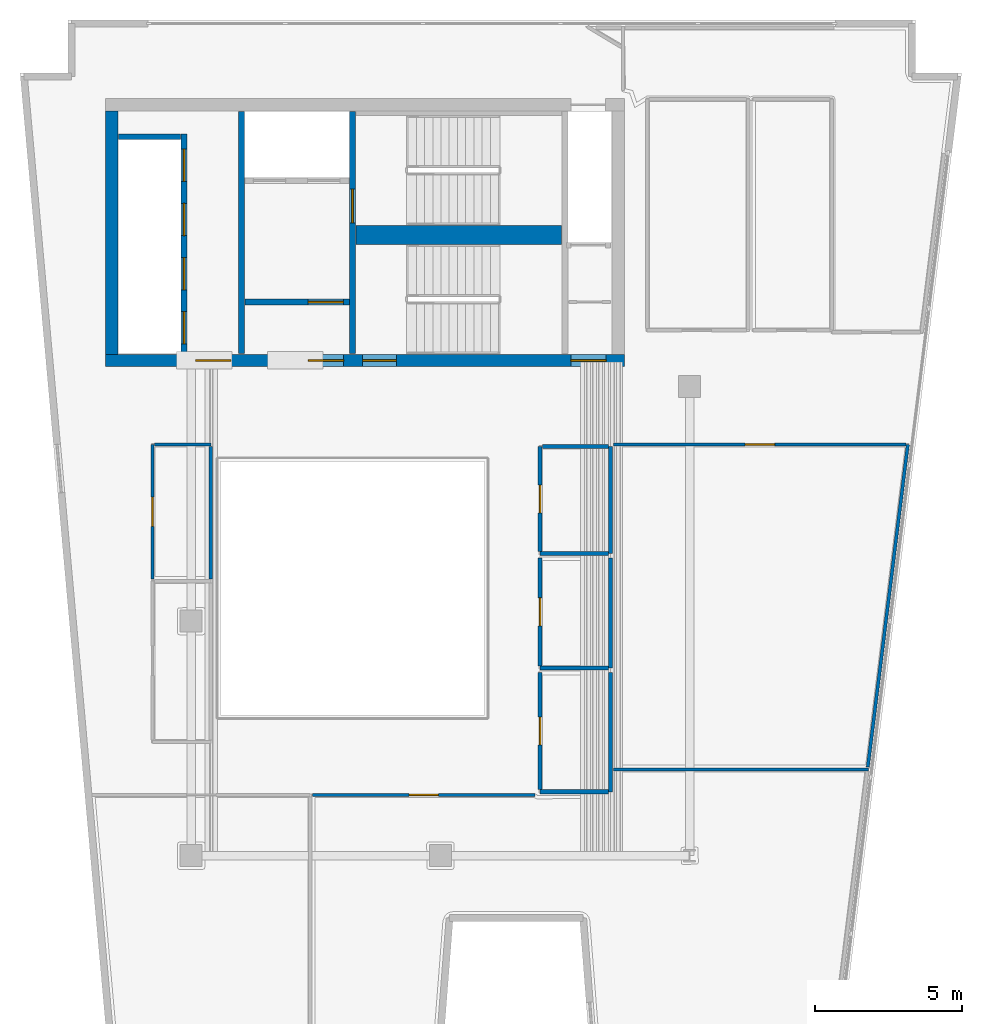
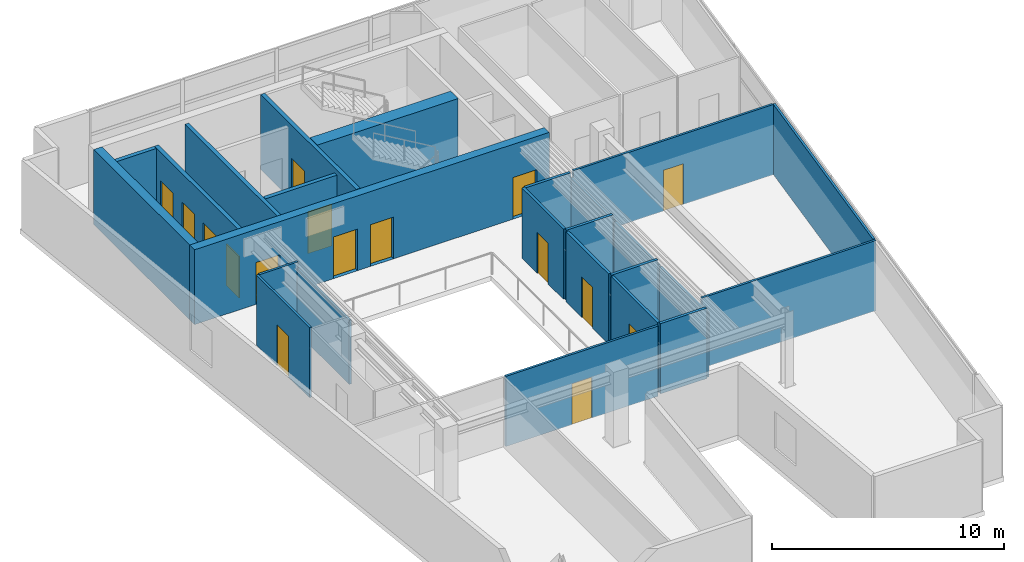
# One storey, part 4 of 8: 25 walls, 16 doors, 16 openings.
"""IFC4 building model written with IfcOpenShell, lengths in metres."""

from ifc_helpers import new_model, si_unit, direction, frame, frame_2d, origin, place, context, subcontext, project, spatial, rectangle, extrude, material, layer, layer_set, type_object, element, fill, save


model = new_model("IFC4")

# Units and contexts
model_context = context("Model", 3, precision=1e-05, world=origin(), true_north=direction((0.0, 1.0)))
body_context = subcontext(model_context, "Body", "Model", "MODEL_VIEW")
ifc_project = project(units=[si_unit("LENGTHUNIT", "METRE"), si_unit("AREAUNIT", "SQUARE_METRE"), si_unit("VOLUMEUNIT", "CUBIC_METRE"), si_unit("PLANEANGLEUNIT", "RADIAN"), si_unit("MASSUNIT", "GRAM", prefix="KILO")], contexts=[model_context])

# Site, building, storey
site_placement = place(None, origin())
site = spatial("IfcSite", under=ifc_project, at=site_placement, CompositionType="ELEMENT")
building_placement = place(site_placement, origin())
building = spatial("IfcBuilding", under=site, at=building_placement, Name="Caeloran Harvest Quay", CompositionType="ELEMENT")
storey_placement = place(building_placement, frame((0.0, 0.0, 260.64990234375)))
storey = spatial("IfcBuildingStorey", under=building, at=storey_placement, Name="L62", CompositionType="ELEMENT", Elevation=260.64990234375)

# Wall
ifc_material_1 = material(Name="Single-Stud Acoustic Gypsum Office Partition", Category="gypsum")
ifc_layer_1 = layer(ifc_material_1, 0.112060546875, Name="Single-Stud Acoustic Gypsum Office Partition")
ifc_layer_set_1 = layer_set([ifc_layer_1], Name="Single-Stud Acoustic Gypsum Office Partition")
wall_type_1 = type_object("IfcWallType", Name="INT-WALL-PW-112", PredefinedType="PARTITIONING", material=ifc_layer_set_1)
wall_1_placement = place(storey_placement, frame((22.909912109375, 17.93994140625, 0.0), z_axis=(0.0, 0.0, 1.0), x_axis=(1.0, 0.0, 0.0)))
element("IfcWall", 1, at=wall_1_placement, inside=storey, type_object=wall_type_1, Name="Philanthropy Impact Office Partition Wall", PredefinedType="PARTITIONING", context=body_context, shape_type="SweptSolid", body=[
    extrude(rectangle(XDim=8.6904296875, YDim=0.112060546875, at=frame_2d((4.34521484375, 0.0))), origin(), (0.0, 0.0, 1.0), 3.7001953125),
])

# Wall, opening, door
wall_2_placement = place(storey_placement, frame((12.639892578125, 17.070068359375, 0.0), z_axis=(0.0, 0.0, 1.0), x_axis=(1.0, 0.0, 0.0)))
wall_2 = element("IfcWall", 2, at=wall_2_placement, inside=storey, type_object=wall_type_1, Name="Philanthropy Impact Office Partition Wall", PredefinedType="PARTITIONING", context=body_context, shape_type="SweptSolid", body=[
    extrude(rectangle(XDim=7.587158203125, YDim=0.112060546875, at=frame_2d((3.79345703125, 0.0))), origin(), (0.0, 0.0, 1.0), 3.7001953125),
])
opening_1_placement = place(wall_2_placement, frame((3.29345703125, 0.0, 0.0)))
opening_1 = element("IfcOpeningElement", 3, at=opening_1_placement, cuts=wall_2, Name="Opening ID-01", PredefinedType="OPENING", context=body_context, shape_type="SweptSolid", body=[
    extrude(rectangle(XDim=1.0, YDim=2.14990234375, at=frame_2d((0.5, 1.074951171875))), frame((0.0, 0.06591796875, 0.0), z_axis=(0.0, -1.0, 0.0), x_axis=(1.0, 0.0, 0.0)), (0.0, 0.0, 1.0), 0.132080078125),
])
ifc_material_2 = material(Name="FSC Solid-Core Ash Timber and Acoustic Seal", Category="wood")
door_type_1 = type_object("IfcDoorType", Name="INTDOOR-ID-01", OperationType="NOTDEFINED", PredefinedType="DOOR", material=ifc_material_2)
door_1_placement = place(opening_1_placement, origin())
door_1 = element("IfcDoor", 4, at=door_1_placement, inside=storey, type_object=door_type_1, Name="Philanthropy Impact Office Access Door", OperationType="SINGLE_SWING_RIGHT", OverallHeight=2.14990234375, OverallWidth=1.0, PredefinedType="DOOR", context=body_context, shape_type="SweptSolid", body=[
    extrude(rectangle(XDim=1.0, YDim=2.14990234375, at=frame_2d((0.5, 1.074951171875))), frame((0.0, 0.02490234375, 0.0), z_axis=(0.0, -1.0, 0.0), x_axis=(1.0, 0.0, 0.0)), (0.0, 0.0, 1.0), 0.050048828125),
])
fill(opening_1, door_1)

# Wall
wall_3_placement = place(storey_placement, frame((32.94091796875, 29.02001953125, 0.0), z_axis=(0.0, 0.0, 1.0), x_axis=(-0.123232290614, -0.99237785271, 0.0)))
element("IfcWall", 5, at=wall_3_placement, inside=storey, type_object=wall_type_1, Name="Investment Committee Boardroom Partition Wall", PredefinedType="PARTITIONING", context=body_context, shape_type="SweptSolid", body=[
    extrude(rectangle(XDim=11.08447265625, YDim=0.112060546875, at=frame_2d((5.542236328125, 0.0))), origin(), (0.0, 0.0, 1.0), 3.7001953125),
])

# Wall, opening, door
wall_4_placement = place(storey_placement, frame((22.909912109375, 29.02001953125, 0.0), z_axis=(0.0, 0.0, 1.0), x_axis=(1.0, 0.0, 0.0)))
wall_4 = element("IfcWall", 6, at=wall_4_placement, inside=storey, type_object=wall_type_1, Name="Investment Committee Boardroom Partition Wall", PredefinedType="PARTITIONING", context=body_context, shape_type="SweptSolid", body=[
    extrude(rectangle(XDim=9.969482421875, YDim=0.112060546875, at=frame_2d((4.98486328125, 0.0))), origin(), (0.0, 0.0, 1.0), 3.7001953125),
])
opening_2_placement = place(wall_4_placement, frame((4.48486328125, 0.0, 0.0)))
opening_2 = element("IfcOpeningElement", 7, at=opening_2_placement, cuts=wall_4, Name="Opening ID-01", PredefinedType="OPENING", context=body_context, shape_type="SweptSolid", body=[
    extrude(rectangle(XDim=1.0, YDim=2.14990234375, at=frame_2d((0.5, 1.074951171875))), frame((0.0, 0.06591796875, 0.0), z_axis=(0.0, -1.0, 0.0), x_axis=(1.0, 0.0, 0.0)), (0.0, 0.0, 1.0), 0.132080078125),
])
door_2_placement = place(opening_2_placement, origin())
door_2 = element("IfcDoor", 8, at=door_2_placement, inside=storey, type_object=door_type_1, Name="Investment Committee Boardroom Access Door", OperationType="SINGLE_SWING_RIGHT", OverallHeight=2.14990234375, OverallWidth=1.0, PredefinedType="DOOR", context=body_context, shape_type="SweptSolid", body=[
    extrude(rectangle(XDim=1.0, YDim=2.14990234375, at=frame_2d((0.5, 1.074951171875))), frame((0.0, 0.02490234375, 0.0), z_axis=(0.0, -1.0, 0.0), x_axis=(1.0, 0.0, 0.0)), (0.0, 0.0, 1.0), 0.050048828125),
])
fill(opening_2, door_2)

wall_5_placement = place(storey_placement, frame((7.179931640625, 24.43994140625, 0.0), z_axis=(0.0, 0.0, 1.0), x_axis=(0.0, 1.0, 0.0)))
wall_5 = element("IfcWall", 9, at=wall_5_placement, inside=storey, type_object=wall_type_1, Name="Harbour Sky Salon Lounge Partition Wall", PredefinedType="PARTITIONING", context=body_context, shape_type="SweptSolid", body=[
    extrude(rectangle(XDim=4.580078125, YDim=0.112060546875, at=frame_2d((2.2900390625, 0.0))), origin(), (0.0, 0.0, 1.0), 3.7001953125),
])
opening_3_placement = place(wall_5_placement, frame((1.7900390625, 0.0, 0.0)))
opening_3 = element("IfcOpeningElement", 10, at=opening_3_placement, cuts=wall_5, Name="Opening ID-01", PredefinedType="OPENING", context=body_context, shape_type="SweptSolid", body=[
    extrude(rectangle(XDim=1.0, YDim=2.14990234375, at=frame_2d((0.5, 1.074951171875))), frame((0.0, 0.06591796875, 0.0), z_axis=(0.0, -1.0, 0.0), x_axis=(1.0, 0.0, 0.0)), (0.0, 0.0, 1.0), 0.132080078125),
])
door_3_placement = place(opening_3_placement, origin())
door_3 = element("IfcDoor", 11, at=door_3_placement, inside=storey, type_object=door_type_1, Name="Harbour Sky Salon Lounge Access Door", OperationType="SINGLE_SWING_LEFT", OverallHeight=2.14990234375, OverallWidth=1.0, PredefinedType="DOOR", context=body_context, shape_type="SweptSolid", body=[
    extrude(rectangle(XDim=1.0, YDim=2.14990234375, at=frame_2d((0.5, 1.074951171875))), frame((0.0, 0.02490234375, 0.0), z_axis=(0.0, -1.0, 0.0), x_axis=(1.0, 0.0, 0.0)), (0.0, 0.0, 1.0), 0.050048828125),
])
fill(opening_3, door_3)

# Walls
wall_6_placement = place(storey_placement, frame((7.240966796875, 29.02001953125, 0.0), z_axis=(0.0, 0.0, 1.0), x_axis=(1.0, 0.0, 0.0)))
element("IfcWall", 12, at=wall_6_placement, inside=storey, type_object=wall_type_1, Name="Harbour Sky Salon Lounge Partition Wall", PredefinedType="PARTITIONING", context=body_context, shape_type="SweptSolid", body=[
    extrude(rectangle(XDim=1.928955078125, YDim=0.112060546875, at=frame_2d((0.96435546875, 0.0))), origin(), (0.0, 0.0, 1.0), 3.7001953125),
])
wall_7_placement = place(storey_placement, frame((9.169921875, 28.958984375, 0.0), z_axis=(0.0, 0.0, 1.0), x_axis=(0.0, -1.0, 0.0)))
element("IfcWall", 13, at=wall_7_placement, inside=storey, type_object=wall_type_1, Name="Harbour Sky Salon Lounge Partition Wall", PredefinedType="PARTITIONING", context=body_context, shape_type="SweptSolid", body=[
    extrude(rectangle(XDim=4.51904296875, YDim=0.112060546875, at=frame_2d((2.259521484375, 0.0))), origin(), (0.0, 0.0, 1.0), 3.385009765625),
])
ifc_material_3 = material(Name="Moisture-Resistant Cement-Board Sanitary Partition", Category="gypsum")
ifc_layer_2 = layer(ifc_material_3, 0.139892578125, Name="Moisture-Resistant Cement-Board Sanitary Partition")
ifc_layer_set_2 = layer_set([ifc_layer_2], Name="Moisture-Resistant Cement-Board Sanitary Partition")
wall_type_2 = type_object("IfcWallType", Name="INT-WALL-PW-140", PredefinedType="PARTITIONING", material=ifc_layer_set_2)
wall_8_placement = place(storey_placement, frame((22.800048828125, 28.949951171875, 0.0), z_axis=(0.0, 0.0, 1.0), x_axis=(0.0, -1.0, 0.0)))
element("IfcWall", 14, at=wall_8_placement, inside=storey, type_object=wall_type_2, Name="L62 Male Washroom WC Partition Wall", PredefinedType="PARTITIONING", context=body_context, shape_type="SweptSolid", body=[
    extrude(rectangle(XDim=3.64990234375, YDim=0.139892578125, at=frame_2d((1.824951171875, 0.0))), origin(), (0.0, 0.0, 1.0), 3.385009765625),
])
wall_9_placement = place(storey_placement, frame((22.72509765625, 25.300048828125, 0.0), z_axis=(0.0, 0.0, 1.0), x_axis=(-1.0, 0.0, 0.0)))
element("IfcWall", 15, at=wall_9_placement, inside=storey, type_object=wall_type_2, Name="L62 Male Washroom WC Partition Wall", PredefinedType="PARTITIONING", context=body_context, shape_type="SweptSolid", body=[
    extrude(rectangle(XDim=2.3251953125, YDim=0.139892578125, at=frame_2d((1.16259765625, 0.0))), origin(), (0.0, 0.0, 1.0), 3.7001953125),
])

# Wall, opening, door
wall_10_placement = place(storey_placement, frame((20.39990234375, 25.375, 0.0), z_axis=(0.0, 0.0, 1.0), x_axis=(0.0, 1.0, 0.0)))
wall_10 = element("IfcWall", 16, at=wall_10_placement, inside=storey, type_object=wall_type_2, Name="L62 Male Washroom WC Partition Wall", PredefinedType="PARTITIONING", context=body_context, shape_type="SweptSolid", body=[
    extrude(rectangle(XDim=3.574951171875, YDim=0.139892578125, at=frame_2d((1.78759765625, 0.0))), origin(), (0.0, 0.0, 1.0), 3.7001953125),
])
opening_4_placement = place(wall_10_placement, frame((1.3125, 0.0, 0.0)))
opening_4 = element("IfcOpeningElement", 17, at=opening_4_placement, cuts=wall_10, Name="Opening WC-01", PredefinedType="OPENING", context=body_context, shape_type="SweptSolid", body=[
    extrude(rectangle(XDim=0.949951171875, YDim=2.14990234375, at=frame_2d((0.47509765625, 1.074951171875))), frame((0.0, 0.080078125, 0.0), z_axis=(0.0, -1.0, 0.0), x_axis=(1.0, 0.0, 0.0)), (0.0, 0.0, 1.0), 0.159912109375),
])
ifc_material_4 = material(Name="High-Pressure Laminate Moisture-Resistant Timber", Category="wood")
door_type_2 = type_object("IfcDoorType", Name="INTDOOR-WC-01", OperationType="NOTDEFINED", PredefinedType="DOOR", material=ifc_material_4)
door_4_placement = place(opening_4_placement, origin())
door_4 = element("IfcDoor", 18, at=door_4_placement, inside=storey, type_object=door_type_2, Name="L62 Male Washroom WC Access Door", OperationType="SINGLE_SWING_RIGHT", OverallHeight=2.14990234375, OverallWidth=0.949951171875, PredefinedType="DOOR", context=body_context, shape_type="SweptSolid", body=[
    extrude(rectangle(XDim=0.949951171875, YDim=2.14990234375, at=frame_2d((0.47509765625, 1.074951171875))), frame((0.0, 0.02490234375, 0.0), z_axis=(0.0, -1.0, 0.0), x_axis=(1.0, 0.0, 0.0)), (0.0, 0.0, 1.0), 0.050048828125),
])
fill(opening_4, door_4)

# Walls
wall_11_placement = place(storey_placement, frame((20.47509765625, 28.949951171875, 0.0), z_axis=(0.0, 0.0, 1.0), x_axis=(1.0, 0.0, 0.0)))
element("IfcWall", 19, at=wall_11_placement, inside=storey, type_object=wall_type_2, Name="L62 Male Washroom WC Partition Wall", PredefinedType="PARTITIONING", context=body_context, shape_type="SweptSolid", body=[
    extrude(rectangle(XDim=2.25, YDim=0.139892578125, at=frame_2d((1.125, 0.0))), origin(), (0.0, 0.0, 1.0), 3.7001953125),
])
wall_12_placement = place(storey_placement, frame((22.800048828125, 25.14990234375, 0.0), z_axis=(0.0, 0.0, 1.0), x_axis=(0.0, -1.0, 0.0)))
element("IfcWall", 20, at=wall_12_placement, inside=storey, type_object=wall_type_2, Name="L62 Female Washroom WC Partition Wall", PredefinedType="PARTITIONING", context=body_context, shape_type="SweptSolid", body=[
    extrude(rectangle(XDim=3.75, YDim=0.139892578125, at=frame_2d((1.875, 0.0))), origin(), (0.0, 0.0, 1.0), 3.385009765625),
])
wall_13_placement = place(storey_placement, frame((22.72509765625, 21.39990234375, 0.0), z_axis=(0.0, 0.0, 1.0), x_axis=(-1.0, 0.0, 0.0)))
element("IfcWall", 21, at=wall_13_placement, inside=storey, type_object=wall_type_2, Name="L62 Female Washroom WC Partition Wall", PredefinedType="PARTITIONING", context=body_context, shape_type="SweptSolid", body=[
    extrude(rectangle(XDim=2.3251953125, YDim=0.139892578125, at=frame_2d((1.16259765625, 0.0))), origin(), (0.0, 0.0, 1.0), 3.7001953125),
])

# Wall, opening, door
wall_14_placement = place(storey_placement, frame((20.39990234375, 21.47509765625, 0.0), z_axis=(0.0, 0.0, 1.0), x_axis=(0.0, 1.0, 0.0)))
wall_14 = element("IfcWall", 22, at=wall_14_placement, inside=storey, type_object=wall_type_2, Name="L62 Female Washroom WC Partition Wall", PredefinedType="PARTITIONING", context=body_context, shape_type="SweptSolid", body=[
    extrude(rectangle(XDim=3.6748046875, YDim=0.139892578125, at=frame_2d((1.83740234375, 0.0))), origin(), (0.0, 0.0, 1.0), 3.7001953125),
])
opening_5_placement = place(wall_14_placement, frame((1.362548828125, 0.0, 0.0)))
opening_5 = element("IfcOpeningElement", 23, at=opening_5_placement, cuts=wall_14, Name="Opening WC-01", PredefinedType="OPENING", context=body_context, shape_type="SweptSolid", body=[
    extrude(rectangle(XDim=0.949951171875, YDim=2.14990234375, at=frame_2d((0.47509765625, 1.074951171875))), frame((0.0, 0.080078125, 0.0), z_axis=(0.0, -1.0, 0.0), x_axis=(1.0, 0.0, 0.0)), (0.0, 0.0, 1.0), 0.159912109375),
])
door_5_placement = place(opening_5_placement, origin())
door_5 = element("IfcDoor", 24, at=door_5_placement, inside=storey, type_object=door_type_2, Name="L62 Female Washroom WC Access Door", OperationType="SINGLE_SWING_LEFT", OverallHeight=2.14990234375, OverallWidth=0.949951171875, PredefinedType="DOOR", context=body_context, shape_type="SweptSolid", body=[
    extrude(rectangle(XDim=0.949951171875, YDim=2.14990234375, at=frame_2d((0.47509765625, 1.074951171875))), frame((0.0, 0.02490234375, 0.0), z_axis=(0.0, -1.0, 0.0), x_axis=(1.0, 0.0, 0.0)), (0.0, 0.0, 1.0), 0.050048828125),
])
fill(opening_5, door_5)

# Walls
wall_15_placement = place(storey_placement, frame((22.800048828125, 21.25, 0.0), z_axis=(0.0, 0.0, 1.0), x_axis=(0.0, -1.0, 0.0)))
element("IfcWall", 25, at=wall_15_placement, inside=storey, type_object=wall_type_2, Name="L62 Accessible Unisex Washroom WC Partition Wall", PredefinedType="PARTITIONING", context=body_context, shape_type="SweptSolid", body=[
    extrude(rectangle(XDim=4.070068359375, YDim=0.139892578125, at=frame_2d((2.03515625, 0.0))), origin(), (0.0, 0.0, 1.0), 3.385009765625),
])
wall_16_placement = place(storey_placement, frame((22.72509765625, 17.179931640625, 0.0), z_axis=(0.0, 0.0, 1.0), x_axis=(-1.0, 0.0, 0.0)))
element("IfcWall", 26, at=wall_16_placement, inside=storey, type_object=wall_type_2, Name="L62 Accessible Unisex Washroom WC Partition Wall", PredefinedType="PARTITIONING", context=body_context, shape_type="SweptSolid", body=[
    extrude(rectangle(XDim=2.3251953125, YDim=0.139892578125, at=frame_2d((1.16259765625, 0.0))), origin(), (0.0, 0.0, 1.0), 3.7001953125),
])

# Wall, opening, door
wall_17_placement = place(storey_placement, frame((20.39990234375, 17.2548828125, 0.0), z_axis=(0.0, 0.0, 1.0), x_axis=(0.0, 1.0, 0.0)))
wall_17 = element("IfcWall", 27, at=wall_17_placement, inside=storey, type_object=wall_type_2, Name="L62 Accessible Unisex Washroom WC Partition Wall", PredefinedType="PARTITIONING", context=body_context, shape_type="SweptSolid", body=[
    extrude(rectangle(XDim=3.9951171875, YDim=0.139892578125, at=frame_2d((1.99755859375, 0.0))), origin(), (0.0, 0.0, 1.0), 3.7001953125),
])
opening_6_placement = place(wall_17_placement, frame((1.5224609375, 0.0, 0.0)))
opening_6 = element("IfcOpeningElement", 28, at=opening_6_placement, cuts=wall_17, Name="Opening WC-01", PredefinedType="OPENING", context=body_context, shape_type="SweptSolid", body=[
    extrude(rectangle(XDim=0.949951171875, YDim=2.14990234375, at=frame_2d((0.47509765625, 1.074951171875))), frame((0.0, 0.080078125, 0.0), z_axis=(0.0, -1.0, 0.0), x_axis=(1.0, 0.0, 0.0)), (0.0, 0.0, 1.0), 0.159912109375),
])
door_6_placement = place(opening_6_placement, origin())
door_6 = element("IfcDoor", 29, at=door_6_placement, inside=storey, type_object=door_type_2, Name="L62 Accessible Unisex Washroom WC Access Door", OperationType="SINGLE_SWING_RIGHT", OverallHeight=2.14990234375, OverallWidth=0.949951171875, PredefinedType="DOOR", context=body_context, shape_type="SweptSolid", body=[
    extrude(rectangle(XDim=0.949951171875, YDim=2.14990234375, at=frame_2d((0.47509765625, 1.074951171875))), frame((0.0, 0.02490234375, 0.0), z_axis=(0.0, -1.0, 0.0), x_axis=(1.0, 0.0, 0.0)), (0.0, 0.0, 1.0), 0.050048828125),
])
fill(opening_6, door_6)

# Wall, openings, doors
ifc_material_5 = material(Name="Concrete C50/60", Category="concrete")
ifc_layer_3 = layer(ifc_material_5, 0.199951171875, Name="Concrete C50/60")
ifc_layer_set_3 = layer_set([ifc_layer_3], Name="Concrete C50/60")
wall_type_3 = type_object("IfcWallType", Name="INT-WALL-SW-200", PredefinedType="PARTITIONING", material=ifc_layer_set_3)
wall_18_placement = place(storey_placement, frame((8.260009765625, 32.1201171875, 0.0), z_axis=(0.0, 0.0, 1.0), x_axis=(0.0, 1.0, 0.0)))
wall_18 = element("IfcWall", 30, at=wall_18_placement, inside=storey, type_object=wall_type_3, Name="L62 Bank 3 Lift Shaft Wall", PredefinedType="PARTITIONING", context=body_context, shape_type="SweptSolid", body=[
    extrude(rectangle(XDim=7.5, YDim=0.199951171875, at=frame_2d((3.75, 0.0))), origin(), (0.0, 0.0, 1.0), 3.7001953125),
])
opening_7_placement = place(wall_18_placement, frame((0.330078125, 0.0, 0.0)))
opening_7 = element("IfcOpeningElement", 31, at=opening_7_placement, cuts=wall_18, Name="Opening LD-01", PredefinedType="OPENING", context=body_context, shape_type="SweptSolid", body=[
    extrude(rectangle(XDim=1.10009765625, YDim=2.199951171875, at=frame_2d((0.550048828125, 1.10009765625))), frame((0.0, 0.10986328125, 0.0), z_axis=(0.0, -1.0, 0.0), x_axis=(1.0, 0.0, 0.0)), (0.0, 0.0, 1.0), 0.219970703125),
])
opening_8_placement = place(wall_18_placement, frame((2.179931640625, 0.0, 0.0)))
opening_8 = element("IfcOpeningElement", 32, at=opening_8_placement, cuts=wall_18, Name="Opening LD-01", PredefinedType="OPENING", context=body_context, shape_type="SweptSolid", body=[
    extrude(rectangle(XDim=1.10009765625, YDim=2.199951171875, at=frame_2d((0.550048828125, 1.10009765625))), frame((0.0, 0.10986328125, 0.0), z_axis=(0.0, -1.0, 0.0), x_axis=(1.0, 0.0, 0.0)), (0.0, 0.0, 1.0), 0.219970703125),
])
opening_9_placement = place(wall_18_placement, frame((4.030029296875, 0.0, 0.0)))
opening_9 = element("IfcOpeningElement", 33, at=opening_9_placement, cuts=wall_18, Name="Opening LD-01", PredefinedType="OPENING", context=body_context, shape_type="SweptSolid", body=[
    extrude(rectangle(XDim=1.10009765625, YDim=2.199951171875, at=frame_2d((0.550048828125, 1.10009765625))), frame((0.0, 0.10986328125, 0.0), z_axis=(0.0, -1.0, 0.0), x_axis=(1.0, 0.0, 0.0)), (0.0, 0.0, 1.0), 0.219970703125),
])
opening_10_placement = place(wall_18_placement, frame((5.8798828125, 0.0, 0.0)))
opening_10 = element("IfcOpeningElement", 34, at=opening_10_placement, cuts=wall_18, Name="Opening LD-01", PredefinedType="OPENING", context=body_context, shape_type="SweptSolid", body=[
    extrude(rectangle(XDim=1.10009765625, YDim=2.199951171875, at=frame_2d((0.550048828125, 1.10009765625))), frame((0.0, 0.10986328125, 0.0), z_axis=(0.0, -1.0, 0.0), x_axis=(1.0, 0.0, 0.0)), (0.0, 0.0, 1.0), 0.219970703125),
])
ifc_material_6 = material(Name="Stainless Steel Grade 316", Category="steel")
door_type_3 = type_object("IfcDoorType", Name="INTDOOR-LD-01", OperationType="NOTDEFINED", PredefinedType="DOOR", material=ifc_material_6)
door_7_placement = place(opening_7_placement, origin())
door_7 = element("IfcDoor", 35, at=door_7_placement, inside=storey, type_object=door_type_3, Name="Lift P3-1 Sliding Landing Door (L62)", OperationType="DOUBLE_DOOR_SLIDING", OverallHeight=2.199951171875, OverallWidth=1.10009765625, PredefinedType="DOOR", context=body_context, shape_type="SweptSolid", body=[
    extrude(rectangle(XDim=1.10009765625, YDim=2.199951171875, at=frame_2d((0.550048828125, 1.10009765625))), frame((0.0, 0.02490234375, 0.0), z_axis=(0.0, -1.0, 0.0), x_axis=(1.0, 0.0, 0.0)), (0.0, 0.0, 1.0), 0.050048828125),
])
fill(opening_7, door_7)
door_8_placement = place(opening_8_placement, origin())
door_8 = element("IfcDoor", 36, at=door_8_placement, inside=storey, type_object=door_type_3, Name="Lift P3-2 Sliding Landing Door (L62)", OperationType="DOUBLE_DOOR_SLIDING", OverallHeight=2.199951171875, OverallWidth=1.10009765625, PredefinedType="DOOR", context=body_context, shape_type="SweptSolid", body=[
    extrude(rectangle(XDim=1.10009765625, YDim=2.199951171875, at=frame_2d((0.550048828125, 1.10009765625))), frame((0.0, 0.02490234375, 0.0), z_axis=(0.0, -1.0, 0.0), x_axis=(1.0, 0.0, 0.0)), (0.0, 0.0, 1.0), 0.050048828125),
])
fill(opening_8, door_8)
door_9_placement = place(opening_9_placement, origin())
door_9 = element("IfcDoor", 37, at=door_9_placement, inside=storey, type_object=door_type_3, Name="Lift P3-3 Sliding Landing Door (L62)", OperationType="DOUBLE_DOOR_SLIDING", OverallHeight=2.199951171875, OverallWidth=1.10009765625, PredefinedType="DOOR", context=body_context, shape_type="SweptSolid", body=[
    extrude(rectangle(XDim=1.10009765625, YDim=2.199951171875, at=frame_2d((0.550048828125, 1.10009765625))), frame((0.0, 0.02490234375, 0.0), z_axis=(0.0, -1.0, 0.0), x_axis=(1.0, 0.0, 0.0)), (0.0, 0.0, 1.0), 0.050048828125),
])
fill(opening_9, door_9)
door_10_placement = place(opening_10_placement, origin())
door_10 = element("IfcDoor", 38, at=door_10_placement, inside=storey, type_object=door_type_3, Name="Lift P3-4 Sliding Landing Door (L62)", OperationType="DOUBLE_DOOR_SLIDING", OverallHeight=2.199951171875, OverallWidth=1.10009765625, PredefinedType="DOOR", context=body_context, shape_type="SweptSolid", body=[
    extrude(rectangle(XDim=1.10009765625, YDim=2.199951171875, at=frame_2d((0.550048828125, 1.10009765625))), frame((0.0, 0.02490234375, 0.0), z_axis=(0.0, -1.0, 0.0), x_axis=(1.0, 0.0, 0.0)), (0.0, 0.0, 1.0), 0.050048828125),
])
fill(opening_10, door_10)

# Walls
wall_19_placement = place(storey_placement, frame((6.02001953125, 39.52001953125, 0.0), z_axis=(0.0, 0.0, 1.0), x_axis=(1.0, 0.0, 0.0)))
element("IfcWall", 39, at=wall_19_placement, inside=storey, type_object=wall_type_3, Name="L62 Bank 3 Lift Shaft North End Wall", PredefinedType="PARTITIONING", context=body_context, shape_type="SweptSolid", body=[
    extrude(rectangle(XDim=2.119873046875, YDim=0.199951171875, at=frame_2d((1.06005859375, 0.0))), origin(), (0.0, 0.0, 1.0), 3.7001953125),
])
wall_20_placement = place(storey_placement, frame((10.219970703125, 32.1201171875, 0.0), z_axis=(0.0, 0.0, 1.0), x_axis=(0.0, 1.0, 0.0)))
element("IfcWall", 40, at=wall_20_placement, inside=storey, type_object=wall_type_3, Name="L62 Core Lobby Compartment Wall", PredefinedType="PARTITIONING", context=body_context, shape_type="SweptSolid", body=[
    extrude(rectangle(XDim=8.259765625, YDim=0.199951171875, at=frame_2d((4.1298828125, 0.0))), origin(), (0.0, 0.0, 1.0), 3.7001953125),
])

# Wall, opening, door
wall_21_placement = place(storey_placement, frame((10.340087890625, 33.8798828125, 0.0), z_axis=(0.0, 0.0, 1.0), x_axis=(1.0, 0.0, 0.0)))
wall_21 = element("IfcWall", 41, at=wall_21_placement, inside=storey, type_object=wall_type_3, Name="L62 Firefighting Lift Lobby Enclosure Wall", PredefinedType="PARTITIONING", context=body_context, shape_type="SweptSolid", body=[
    extrude(rectangle(XDim=3.559814453125, YDim=0.199951171875, at=frame_2d((1.77978515625, 0.0))), origin(), (0.0, 0.0, 1.0), 3.7001953125),
])
opening_11_placement = place(wall_21_placement, frame((2.14990234375, 0.0, 0.0)))
opening_11 = element("IfcOpeningElement", 42, at=opening_11_placement, cuts=wall_21, Name="Opening FD-01", PredefinedType="OPENING", context=body_context, shape_type="SweptSolid", body=[
    extrude(rectangle(XDim=1.199951171875, YDim=2.199951171875, at=frame_2d((0.60009765625, 1.10009765625))), frame((0.0, 0.10986328125, 0.0), z_axis=(0.0, -1.0, 0.0), x_axis=(1.0, 0.0, 0.0)), (0.0, 0.0, 1.0), 0.219970703125),
])
ifc_material_7 = material(Name="Steel", Category="steel")
door_type_4 = type_object("IfcDoorType", Name="INTDOOR-FD-01", OperationType="NOTDEFINED", PredefinedType="DOOR", material=ifc_material_7)
door_11_placement = place(opening_11_placement, origin())
door_11 = element("IfcDoor", 43, at=door_11_placement, inside=storey, type_object=door_type_4, Name="L62 Firefighting Lift Lobby Smoke-Seal Fire Door", OperationType="SINGLE_SWING_LEFT", OverallHeight=2.199951171875, OverallWidth=1.199951171875, PredefinedType="DOOR", context=body_context, shape_type="SweptSolid", body=[
    extrude(rectangle(XDim=1.199951171875, YDim=2.199951171875, at=frame_2d((0.60009765625, 1.10009765625))), frame((0.0, 0.02490234375, 0.0), z_axis=(0.0, -1.0, 0.0), x_axis=(1.0, 0.0, 0.0)), (0.0, 0.0, 1.0), 0.050048828125),
])
fill(opening_11, door_11)

# Wall, openings, doors
ifc_material_8 = material(Name="Concrete C60/75", Category="concrete")
ifc_layer_4 = layer(ifc_material_8, 0.419921875, Name="Concrete C60/75")
ifc_layer_set_4 = layer_set([ifc_layer_4], Name="Concrete C60/75")
wall_type_4 = type_object("IfcWallType", Name="STR-WALL-CW-420", PredefinedType="SHEAR", material=ifc_layer_set_4)
wall_22_placement = place(storey_placement, frame((5.580078125, 31.889892578125, 0.0), z_axis=(0.0, 0.0, 1.0), x_axis=(1.0, 0.0, 0.0)))
wall_22 = element("IfcWall", 44, at=wall_22_placement, inside=storey, type_object=wall_type_4, Name="L62 Rear Core Shear Wall S", PredefinedType="SHEAR", context=body_context, shape_type="SweptSolid", body=[
    extrude(rectangle(XDim=17.68994140625, YDim=0.419921875, at=frame_2d((8.844970703125, 0.0))), origin(), (0.0, 0.0, 1.0), 3.9501953125),
])
opening_12_placement = place(wall_22_placement, frame((3.070068359375, 0.0, 0.0)))
opening_12 = element("IfcOpeningElement", 45, at=opening_12_placement, cuts=wall_22, Name="Opening FD-01", PredefinedType="OPENING", context=body_context, shape_type="SweptSolid", body=[
    extrude(rectangle(XDim=1.199951171875, YDim=2.199951171875, at=frame_2d((0.60009765625, 1.10009765625))), frame((0.0, 0.219970703125, 0.0), z_axis=(0.0, -1.0, 0.0), x_axis=(1.0, 0.0, 0.0)), (0.0, 0.0, 1.0), 0.43994140625),
])
opening_13_placement = place(wall_22_placement, frame((6.919921875, 0.0, 0.0)))
opening_13 = element("IfcOpeningElement", 46, at=opening_13_placement, cuts=wall_22, Name="Opening FD-01", PredefinedType="OPENING", context=body_context, shape_type="SweptSolid", body=[
    extrude(rectangle(XDim=1.199951171875, YDim=2.199951171875, at=frame_2d((0.60009765625, 1.10009765625))), frame((0.0, 0.219970703125, 0.0), z_axis=(0.0, -1.0, 0.0), x_axis=(1.0, 0.0, 0.0)), (0.0, 0.0, 1.0), 0.43994140625),
])
opening_14_placement = place(wall_22_placement, frame((8.77001953125, 0.0, 0.0)))
opening_14 = element("IfcOpeningElement", 47, at=opening_14_placement, cuts=wall_22, Name="Opening SD-01", PredefinedType="OPENING", context=body_context, shape_type="SweptSolid", body=[
    extrude(rectangle(XDim=1.14990234375, YDim=2.199951171875, at=frame_2d((0.574951171875, 1.10009765625))), frame((0.0, 0.219970703125, 0.0), z_axis=(0.0, -1.0, 0.0), x_axis=(1.0, 0.0, 0.0)), (0.0, 0.0, 1.0), 0.43994140625),
])
opening_15_placement = place(wall_22_placement, frame((15.8701171875, 0.0, 0.0)))
opening_15 = element("IfcOpeningElement", 48, at=opening_15_placement, cuts=wall_22, Name="Opening FD-01", PredefinedType="OPENING", context=body_context, shape_type="SweptSolid", body=[
    extrude(rectangle(XDim=1.199951171875, YDim=2.199951171875, at=frame_2d((0.60009765625, 1.10009765625))), frame((0.0, 0.219970703125, 0.0), z_axis=(0.0, -1.0, 0.0), x_axis=(1.0, 0.0, 0.0)), (0.0, 0.0, 1.0), 0.43994140625),
])
door_12_placement = place(opening_12_placement, origin())
door_12 = element("IfcDoor", 49, at=door_12_placement, inside=storey, type_object=door_type_4, Name="L62 High-Rise Lift Lobby Fire Door", OperationType="SINGLE_SWING_LEFT", OverallHeight=2.199951171875, OverallWidth=1.199951171875, PredefinedType="DOOR", context=body_context, shape_type="SweptSolid", body=[
    extrude(rectangle(XDim=1.199951171875, YDim=2.199951171875, at=frame_2d((0.60009765625, 1.10009765625))), frame((0.0, 0.02490234375, 0.0), z_axis=(0.0, -1.0, 0.0), x_axis=(1.0, 0.0, 0.0)), (0.0, 0.0, 1.0), 0.050048828125),
])
fill(opening_12, door_12)
door_13_placement = place(opening_13_placement, origin())
door_13 = element("IfcDoor", 50, at=door_13_placement, inside=storey, type_object=door_type_4, Name="L62 Firefighting Lobby Vestibule Fire Door", OperationType="SINGLE_SWING_RIGHT", OverallHeight=2.199951171875, OverallWidth=1.199951171875, PredefinedType="DOOR", context=body_context, shape_type="SweptSolid", body=[
    extrude(rectangle(XDim=1.199951171875, YDim=2.199951171875, at=frame_2d((0.60009765625, 1.10009765625))), frame((0.0, 0.02490234375, 0.0), z_axis=(0.0, -1.0, 0.0), x_axis=(1.0, 0.0, 0.0)), (0.0, 0.0, 1.0), 0.050048828125),
])
fill(opening_13, door_13)
door_14_placement = place(opening_15_placement, origin())
door_14 = element("IfcDoor", 51, at=door_14_placement, inside=storey, type_object=door_type_4, Name="L62 Service Lift Lobby Fire Door", OperationType="SINGLE_SWING_RIGHT", OverallHeight=2.199951171875, OverallWidth=1.199951171875, PredefinedType="DOOR", context=body_context, shape_type="SweptSolid", body=[
    extrude(rectangle(XDim=1.199951171875, YDim=2.199951171875, at=frame_2d((0.60009765625, 1.10009765625))), frame((0.0, 0.02490234375, 0.0), z_axis=(0.0, -1.0, 0.0), x_axis=(1.0, 0.0, 0.0)), (0.0, 0.0, 1.0), 0.050048828125),
])
fill(opening_15, door_14)
door_type_5 = type_object("IfcDoorType", Name="INTDOOR-SD-01", OperationType="NOTDEFINED", PredefinedType="DOOR", material=ifc_material_7)
door_15_placement = place(opening_14_placement, origin())
door_15 = element("IfcDoor", 52, at=door_15_placement, inside=storey, type_object=door_type_5, Name="L62 Protected Stair ST-C2 Exit Door", OperationType="SINGLE_SWING_LEFT", OverallHeight=2.199951171875, OverallWidth=1.14990234375, PredefinedType="DOOR", context=body_context, shape_type="SweptSolid", body=[
    extrude(rectangle(XDim=1.14990234375, YDim=2.199951171875, at=frame_2d((0.574951171875, 1.10009765625))), frame((0.0, 0.02490234375, 0.0), z_axis=(0.0, -1.0, 0.0), x_axis=(1.0, 0.0, 0.0)), (0.0, 0.0, 1.0), 0.050048828125),
])
fill(opening_14, door_15)

# Walls
wall_23_placement = place(storey_placement, frame((5.7900390625, 32.10009765625, 0.0), z_axis=(0.0, 0.0, 1.0), x_axis=(0.0, 1.0, 0.0)))
element("IfcWall", 53, at=wall_23_placement, inside=storey, type_object=wall_type_4, Name="L62 Rear Core Shear Wall W", PredefinedType="SHEAR", context=body_context, shape_type="SweptSolid", body=[
    extrude(rectangle(XDim=8.2998046875, YDim=0.419921875, at=frame_2d((4.14990234375, 0.0))), origin(), (0.0, 0.0, 1.0), 3.9501953125),
])
ifc_layer_5 = layer(ifc_material_8, 0.64990234375, Name="Concrete C60/75")
ifc_layer_set_5 = layer_set([ifc_layer_5], Name="Concrete C60/75")
wall_type_5 = type_object("IfcWallType", Name="STR-WALL-CW-650", PredefinedType="SHEAR", material=ifc_layer_set_5)
wall_24_placement = place(storey_placement, frame((14.1201171875, 36.175048828125, 0.0), z_axis=(0.0, 0.0, 1.0), x_axis=(1.0, 0.0, 0.0)))
element("IfcWall", 54, at=wall_24_placement, inside=storey, type_object=wall_type_5, Name="L62 Core Stairs Dividing Shear Wall", PredefinedType="SHEAR", context=body_context, shape_type="SweptSolid", body=[
    extrude(rectangle(XDim=7.009765625, YDim=0.64990234375, at=frame_2d((3.5048828125, 0.0))), origin(), (0.0, 0.0, 1.0), 3.9501953125),
])

# Wall, opening, door
ifc_layer_6 = layer(ifc_material_8, 0.199951171875, Name="Concrete C60/75")
ifc_layer_set_6 = layer_set([ifc_layer_6], Name="Concrete C60/75")
wall_type_6 = type_object("IfcWallType", Name="STR-WALL-SW-200", PredefinedType="SHEAR", material=ifc_layer_set_6)
wall_25_placement = place(storey_placement, frame((14.0, 32.1201171875, 0.0), z_axis=(0.0, 0.0, 1.0), x_axis=(0.0, 1.0, 0.0)))
wall_25 = element("IfcWall", 55, at=wall_25_placement, inside=storey, type_object=wall_type_6, Name="L62 Core Stair Shaft West Shear Wall", PredefinedType="SHEAR", context=body_context, shape_type="SweptSolid", body=[
    extrude(rectangle(XDim=8.259765625, YDim=0.199951171875, at=frame_2d((4.1298828125, 0.0))), origin(), (0.0, 0.0, 1.0), 3.9501953125),
])
opening_16_placement = place(wall_25_placement, frame((4.4599609375, 0.0, 0.0)))
opening_16 = element("IfcOpeningElement", 56, at=opening_16_placement, cuts=wall_25, Name="Opening SD-01", PredefinedType="OPENING", context=body_context, shape_type="SweptSolid", body=[
    extrude(rectangle(XDim=1.14990234375, YDim=2.199951171875, at=frame_2d((0.574951171875, 1.10009765625))), frame((0.0, 0.10986328125, 0.0), z_axis=(0.0, -1.0, 0.0), x_axis=(1.0, 0.0, 0.0)), (0.0, 0.0, 1.0), 0.219970703125),
])
door_16_placement = place(opening_16_placement, origin())
door_16 = element("IfcDoor", 57, at=door_16_placement, inside=storey, type_object=door_type_5, Name="L62 Protected Stair ST-C1 Exit Door", OperationType="SINGLE_SWING_LEFT", OverallHeight=2.199951171875, OverallWidth=1.14990234375, PredefinedType="DOOR", context=body_context, shape_type="SweptSolid", body=[
    extrude(rectangle(XDim=1.14990234375, YDim=2.199951171875, at=frame_2d((0.574951171875, 1.10009765625))), frame((0.0, 0.02490234375, 0.0), z_axis=(0.0, -1.0, 0.0), x_axis=(1.0, 0.0, 0.0)), (0.0, 0.0, 1.0), 0.050048828125),
])
fill(opening_16, door_16)

save(model, "model.ifc")
